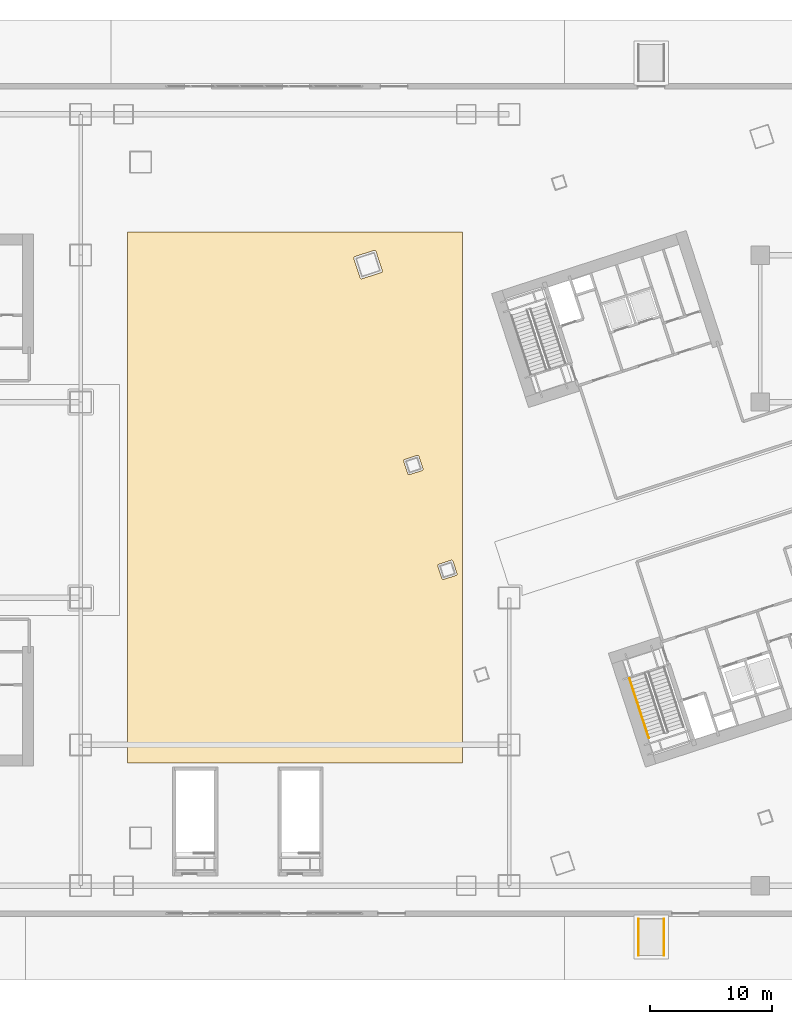
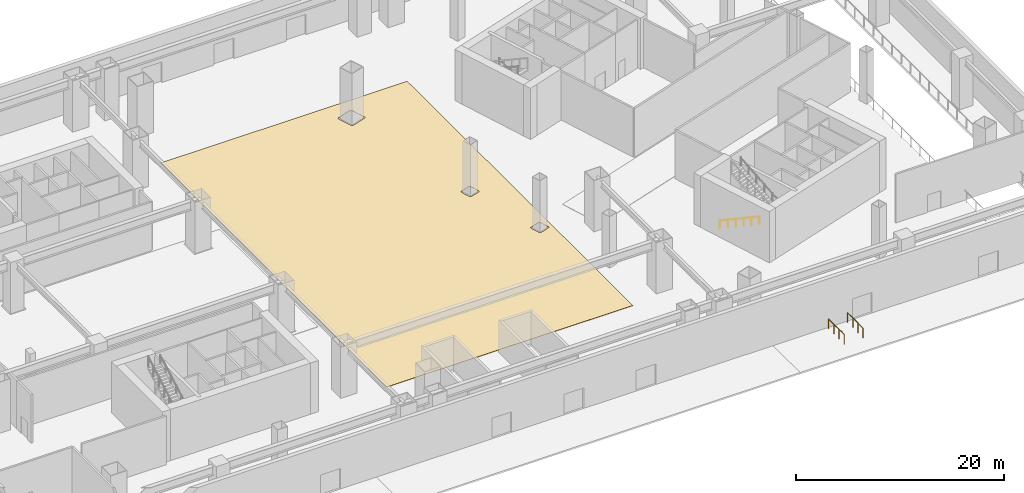
# One storey, part 24 of 31: 3 railings, 1 covering.
"""IFC4 building model written with IfcOpenShell, lengths in metres."""

import ifcopenshell
import ifcopenshell.guid

model = None  # the IFC model being written
_history = None  # IfcOwnerHistory: only IFC2X3 demands one
_inside = {}  # id of a spatial element -> (the spatial element, [elements in it])
_under = {}  # id of a project, library or spatial element -> (it, [spatial elements below it])
_declared = {}  # id of a project -> (the project, [libraries it declares])
_typed = {}  # id of a type object -> (the type object, [elements of that type])
_made_of = {}  # id of a material, layer set ... -> (it, [elements and type objects made of it])


def new_model(schema):
    """Start an empty IFC model of exactly this schema.

    Asked for "IFC4X3", IfcOpenShell would pick the latest addendum, in which some entities
    have other attributes; the version numbers below select the first issue.
    IFC2X3 requires an IfcOwnerHistory on every rooted entity: one is made here for all.
    """
    global model, _history
    if schema == "IFC4X3":
        model = ifcopenshell.file(schema_version=(4, 3, 0, 0))
    else:
        model = ifcopenshell.file(schema=schema)
    _inside.clear()
    _under.clear()
    _declared.clear()
    _typed.clear()
    _made_of.clear()
    _history = None
    if model.schema == "IFC2X3":
        org = make("IfcOrganization", Name="unknown")
        user = make(
            "IfcPersonAndOrganization",
            ThePerson=make("IfcPerson", FamilyName="unknown"),
            TheOrganization=org,
        )
        app = make(
            "IfcApplication",
            ApplicationDeveloper=org,
            Version="unknown",
            ApplicationFullName="unknown",
            ApplicationIdentifier="unknown",
        )
        _history = make(
            "IfcOwnerHistory",
            OwningUser=user,
            OwningApplication=app,
            ChangeAction="ADDED",
            CreationDate=0,
        )
    return model


def make(cls, **values):
    """One entity of the class cls with the attributes given. An attribute that is None is left unset."""
    return model.create_entity(
        cls, **{name: value for name, value in values.items() if value is not None}
    )


def rooted(cls, **values):
    """An entity with a GlobalId (a new one), such as an element, a storey or a relation."""
    return make(cls, GlobalId=ifcopenshell.guid.new(), OwnerHistory=_history, **values)


def si_unit(unit_type, name, prefix=None):
    """IfcSIUnit, for example si_unit("LENGTHUNIT", "METRE", prefix="MILLI")."""
    return make("IfcSIUnit", UnitType=unit_type, Prefix=prefix, Name=name)


def assignment(units):
    """IfcUnitAssignment: the units of a project."""
    return None if units is None else make("IfcUnitAssignment", Units=units)


def point(xyz):
    """IfcCartesianPoint."""
    return None if xyz is None else make("IfcCartesianPoint", Coordinates=xyz)


def direction(xyz):
    """IfcDirection."""
    return None if xyz is None else make("IfcDirection", DirectionRatios=xyz)


def frame(location, z_axis=None, x_axis=None):
    """IfcAxis2Placement3D, a coordinate frame: its origin and axes. An axis left out is left unset."""
    return make(
        "IfcAxis2Placement3D",
        Location=point(location),
        Axis=direction(z_axis),
        RefDirection=direction(x_axis),
    )


def frame_2d(location, x_axis=None):
    """IfcAxis2Placement2D, a coordinate frame in the plane: its origin and x axis."""
    return make(
        "IfcAxis2Placement2D", Location=point(location), RefDirection=direction(x_axis)
    )


def origin():
    """The frame at (0, 0, 0) with its axes left unset."""
    return frame((0.0, 0.0, 0.0))


def origin_2d():
    """The frame at (0, 0) in the plane with its x axis left unset."""
    return frame_2d((0.0, 0.0))


def place(relative_to, where):
    """IfcLocalPlacement: puts the frame where relative to a parent placement (None: the world)."""
    return make(
        "IfcLocalPlacement", PlacementRelTo=relative_to, RelativePlacement=where
    )


def context(
    kind, dimensions, precision=None, world=None, true_north=None, identifier=None
):
    """IfcGeometricRepresentationContext, for example the 3D "Model" context."""
    return make(
        "IfcGeometricRepresentationContext",
        ContextIdentifier=identifier,
        ContextType=kind,
        CoordinateSpaceDimension=dimensions,
        Precision=precision,
        WorldCoordinateSystem=world,
        TrueNorth=true_north,
    )


def subcontext(parent, identifier, kind, view, scale=None):
    """IfcGeometricRepresentationSubContext, for example "Body" below "Model"."""
    return make(
        "IfcGeometricRepresentationSubContext",
        ContextIdentifier=identifier,
        ContextType=kind,
        ParentContext=parent,
        TargetScale=scale,
        TargetView=view,
    )


def project(units=None, contexts=None):
    """IfcProject with its units and contexts."""
    return rooted(
        "IfcProject",
        Name="project",
        RepresentationContexts=contexts,
        UnitsInContext=assignment(units),
    )


def spatial(cls, under=None, at=None, **own):
    """A site, building, storey or space (cls), placed at a placement, below another one or the project."""
    s = rooted(cls, ObjectPlacement=at, **own)
    if under is not None:
        _under.setdefault(under.id(), (under, []))[1].append(s)
    return s


def polyline(points):
    """IfcPolyline through the points."""
    return make("IfcPolyline", Points=[point(p) for p in points])


def profile(cls, at=None, kind="AREA", **sizes):
    """A parametric profile (cls). Its sizes go by their IFC names, for example OverallWidth=200.0."""
    return make(cls, ProfileType=kind, Position=at, **sizes)


def circle(**sizes):
    """IfcCircleProfileDef."""
    return profile("IfcCircleProfileDef", **sizes)


def outline(outer, holes=None, kind="AREA"):
    """IfcArbitraryClosedProfileDef: a profile drawn as a closed curve; with holes, ...WithVoids."""
    if holes is None:
        return make("IfcArbitraryClosedProfileDef", ProfileType=kind, OuterCurve=outer)
    return make(
        "IfcArbitraryProfileDefWithVoids",
        ProfileType=kind,
        OuterCurve=outer,
        InnerCurves=holes,
    )


def extrude(swept, where, along, depth):
    """IfcExtrudedAreaSolid: the profile swept, set in the frame where, extruded along a direction by depth."""
    return make(
        "IfcExtrudedAreaSolid",
        SweptArea=swept,
        Position=where,
        ExtrudedDirection=direction(along),
        Depth=depth,
    )


def shape(context_of_items, identifier, shape_type, items):
    """IfcShapeRepresentation: the items that make up one representation, for example the "Body"."""
    return make(
        "IfcShapeRepresentation",
        ContextOfItems=context_of_items,
        RepresentationIdentifier=identifier,
        RepresentationType=shape_type,
        Items=items,
    )


def material(Name=None, Category=None):
    """IfcMaterial."""
    return make("IfcMaterial", Name=Name, Category=Category)


def layer(
    of_material, thickness, ventilated=None, Name=None, Category=None, Priority=None
):
    """IfcMaterialLayer: one layer of a wall or slab, of a material (None: an air gap)."""
    return make(
        "IfcMaterialLayer",
        Material=of_material,
        LayerThickness=thickness,
        IsVentilated=ventilated,
        Name=Name,
        Category=Category,
        Priority=Priority,
    )


def layer_set(layers, Name=None):
    """IfcMaterialLayerSet."""
    return make("IfcMaterialLayerSet", MaterialLayers=layers, LayerSetName=Name)


def made_of(thing, what):
    """Note that an element or type object is made of a material, layer set ...; save() writes the relation."""
    if what is not None:
        _made_of.setdefault(what.id(), (what, []))[1].append(thing)
    return thing


def type_object(cls, material=None, **own):
    """A type object (cls), such as IfcWallType, which elements share."""
    return made_of(rooted(cls, **own), material)


def element(
    cls,
    number,
    at=None,
    inside=None,
    cuts=None,
    type_object=None,
    material=None,
    context=None,
    identifier="Body",
    shape_type=None,
    held_by="IfcProductDefinitionShape",
    body=None,
    shapes=None,
    **own,
):
    """One element of the class cls, such as IfcWall. Its Tag is "e" and its number.

    at: its placement. inside: the storey or other place that contains it. cuts: it is an
    opening in that element (IfcRelVoidsElement). A single representation is given by context,
    identifier, shape_type and body (its items); several are given by shapes. held_by: the class
    of the entity that holds the representations. save() writes the other relations.
    """
    e = rooted(cls, Tag="e%d" % number, ObjectPlacement=at, **own)
    if body is not None:
        shapes = [shape(context, identifier, shape_type, body)]
    if shapes is not None:
        e.Representation = make(held_by, Representations=shapes)
    if inside is not None:
        _inside.setdefault(inside.id(), (inside, []))[1].append(e)
    if cuts is not None:
        rooted(
            "IfcRelVoidsElement", RelatingBuildingElement=cuts, RelatedOpeningElement=e
        )
    if type_object is not None:
        _typed.setdefault(type_object.id(), (type_object, []))[1].append(e)
    return made_of(e, material)


def aggregate(whole, parts):
    """IfcRelAggregates: a whole, such as a stair, and the parts it consists of."""
    return rooted("IfcRelAggregates", RelatingObject=whole, RelatedObjects=parts)


def save(model, path):
    """Write the relations noted so far, then the file.

    IfcRelAggregates (storeys below a building ...), IfcRelContainedInSpatialStructure (elements
    in a storey), IfcRelDefinesByType, IfcRelAssociatesMaterial and IfcRelDeclares: one each for
    every whole, place, type object, material and project.
    """
    for whole, parts in _under.values():
        aggregate(whole, parts)
    for where, things in _inside.values():
        rooted(
            "IfcRelContainedInSpatialStructure",
            RelatedElements=things,
            RelatingStructure=where,
        )
    for kind, things in _typed.values():
        rooted("IfcRelDefinesByType", RelatedObjects=things, RelatingType=kind)
    for what, things in _made_of.values():
        rooted("IfcRelAssociatesMaterial", RelatedObjects=things, RelatingMaterial=what)
    for by, libraries in _declared.values():
        rooted("IfcRelDeclares", RelatingContext=by, RelatedDefinitions=libraries)
    model.write(path)


model = new_model("IFC4")

# Units and contexts
model_context = context("Model", 3, precision=1e-05, world=origin(), true_north=direction((0.0, 1.0)))
body_context = subcontext(model_context, "Body", "Model", "MODEL_VIEW")
ifc_project = project(units=[si_unit("LENGTHUNIT", "METRE"), si_unit("AREAUNIT", "SQUARE_METRE"), si_unit("VOLUMEUNIT", "CUBIC_METRE"), si_unit("PLANEANGLEUNIT", "RADIAN"), si_unit("MASSUNIT", "GRAM", prefix="KILO")], contexts=[model_context])

# Site, building, storey
site_placement = place(None, origin())
site = spatial("IfcSite", under=ifc_project, at=site_placement, CompositionType="ELEMENT")
building_placement = place(site_placement, origin())
building = spatial("IfcBuilding", under=site, at=building_placement, Name="Qiaolan Cultural Towers", CompositionType="ELEMENT")
storey_placement = place(building_placement, origin())
storey = spatial("IfcBuildingStorey", under=building, at=storey_placement, Name="L00", CompositionType="ELEMENT", Elevation=0.0)

# Covering
ifc_material_1 = material(Name="Honed Terrazzo & Raised Access Flooring", Category="concrete")
ifc_layer = layer(ifc_material_1, 0.0400390625)
ifc_layer_set = layer_set([ifc_layer], Name="Honed Terrazzo & Raised Access Flooring")
covering_type = type_object("IfcCoveringType", Name="COV-FLR-STONE", PredefinedType="FLOORING", material=ifc_layer_set)
covering_placement = place(storey_placement, origin())
element("IfcCovering", 1, at=covering_placement, inside=storey, type_object=covering_type, Name="L00 Ground Station Interchange Concourse Hall Finish Flooring", PredefinedType="FLOORING", context=body_context, shape_type="SweptSolid", body=[
    extrude(outline(polyline([(73.679931640625, 55.8798828125), (46.320068359375, 55.8798828125), (46.320068359375, 12.52001953125), (73.679931640625, 12.52001953125), (73.679931640625, 55.8798828125)]), holes=[polyline([(72.767578125, 29.083740234375), (72.779296875, 29.085693359375), (72.791015625, 29.08642578125), (72.802734375, 29.086181640625), (72.814453125, 29.084716796875), (72.825927734375, 29.08203125), (72.8369140625, 29.078125), (72.84765625, 29.073486328125), (72.85791015625, 29.067626953125), (72.86767578125, 29.060791015625), (72.87646484375, 29.052978515625), (72.884521484375, 29.04443359375), (72.891845703125, 29.03515625), (72.89794921875, 29.025146484375), (72.9033203125, 29.0146484375), (72.907470703125, 29.003662109375), (73.23486328125, 27.995361328125), (73.238037109375, 27.984130859375), (73.239990234375, 27.972412109375), (73.24072265625, 27.960693359375), (73.240478515625, 27.948974609375), (73.239013671875, 27.937255859375), (73.236328125, 27.92578125), (73.232666015625, 27.91455078125), (73.227783203125, 27.90380859375), (73.221923828125, 27.8935546875), (73.215087890625, 27.884033203125), (73.207275390625, 27.875244140625), (73.19873046875, 27.8671875), (73.189453125, 27.85986328125), (73.179443359375, 27.853759765625), (73.1689453125, 27.848388671875), (73.157958984375, 27.84423828125), (72.14990234375, 27.5166015625), (72.138427734375, 27.513671875), (72.126708984375, 27.51171875), (72.114990234375, 27.5107421875), (72.103271484375, 27.51123046875), (72.091552734375, 27.5126953125), (72.080078125, 27.515380859375), (72.069091796875, 27.51904296875), (72.058349609375, 27.52392578125), (72.048095703125, 27.52978515625), (72.038330078125, 27.53662109375), (72.029541015625, 27.544189453125), (72.021484375, 27.552978515625), (72.01416015625, 27.562255859375), (72.008056640625, 27.572265625), (72.002685546875, 27.582763671875), (71.99853515625, 27.59375), (71.671142578125, 28.601806640625), (71.66796875, 28.61328125), (71.666015625, 28.624755859375), (71.665283203125, 28.636474609375), (71.66552734375, 28.6484375), (71.6669921875, 28.659912109375), (71.669677734375, 28.67138671875), (71.67333984375, 28.6826171875), (71.67822265625, 28.693359375), (71.68408203125, 28.70361328125), (71.69091796875, 28.713134765625), (71.69873046875, 28.72216796875), (71.707275390625, 28.730224609375), (71.716552734375, 28.7373046875), (71.7265625, 28.74365234375), (71.737060546875, 28.748779296875), (71.748046875, 28.7529296875), (72.756103515625, 29.08056640625), (72.767578125, 29.083740234375)]), polyline([(70.456787109375, 36.543701171875), (70.458740234375, 36.531982421875), (70.459716796875, 36.520263671875), (70.459228515625, 36.508544921875), (70.457763671875, 36.496826171875), (70.455078125, 36.4853515625), (70.451416015625, 36.47412109375), (70.446533203125, 36.46337890625), (70.440673828125, 36.453125), (70.433837890625, 36.443603515625), (70.42626953125, 36.434814453125), (70.417724609375, 36.426513671875), (70.408203125, 36.41943359375), (70.3984375, 36.4130859375), (70.3876953125, 36.407958984375), (70.376708984375, 36.40380859375), (69.36865234375, 36.076171875), (69.357177734375, 36.072998046875), (69.345703125, 36.071044921875), (69.333984375, 36.0703125), (69.322265625, 36.070556640625), (69.310546875, 36.072265625), (69.299072265625, 36.07470703125), (69.287841796875, 36.07861328125), (69.277099609375, 36.08349609375), (69.266845703125, 36.08935546875), (69.25732421875, 36.095947265625), (69.248291015625, 36.103759765625), (69.240234375, 36.1123046875), (69.233154296875, 36.12158203125), (69.226806640625, 36.131591796875), (69.2216796875, 36.142333984375), (69.217529296875, 36.1533203125), (68.889892578125, 37.161376953125), (68.88671875, 37.172607421875), (68.884765625, 37.184326171875), (68.884033203125, 37.196044921875), (68.88427734375, 37.207763671875), (68.885986328125, 37.219482421875), (68.888427734375, 37.23095703125), (68.892333984375, 37.2421875), (68.89697265625, 37.2529296875), (68.90283203125, 37.26318359375), (68.90966796875, 37.272705078125), (68.91748046875, 37.281494140625), (68.926025390625, 37.289794921875), (68.935302734375, 37.296875), (68.9453125, 37.30322265625), (68.955810546875, 37.308349609375), (68.967041015625, 37.3125), (69.97509765625, 37.64013671875), (69.986328125, 37.643310546875), (69.998046875, 37.645263671875), (70.009765625, 37.64599609375), (70.021484375, 37.6455078125), (70.033203125, 37.64404296875), (70.044677734375, 37.641357421875), (70.055908203125, 37.6376953125), (70.066650390625, 37.6328125), (70.076904296875, 37.626953125), (70.08642578125, 37.6201171875), (70.09521484375, 37.612548828125), (70.103271484375, 37.60400390625), (70.110595703125, 37.594482421875), (70.116943359375, 37.584716796875), (70.1220703125, 37.573974609375), (70.126220703125, 37.56298828125), (70.453857421875, 36.554931640625), (70.456787109375, 36.543701171875)]), polyline([(64.809814453125, 53.7333984375), (64.807861328125, 53.744873046875), (64.806884765625, 53.7568359375), (64.807373046875, 53.7685546875), (64.808837890625, 53.7802734375), (64.8115234375, 53.791748046875), (64.815185546875, 53.802734375), (64.820068359375, 53.8134765625), (64.825927734375, 53.82373046875), (64.832763671875, 53.833251953125), (64.84033203125, 53.84228515625), (64.84912109375, 53.850341796875), (64.8583984375, 53.857421875), (64.868408203125, 53.86376953125), (64.87890625, 53.869140625), (64.889892578125, 53.873291015625), (66.468505859375, 54.38623046875), (66.47998046875, 54.38916015625), (66.49169921875, 54.39111328125), (66.50341796875, 54.39208984375), (66.51513671875, 54.3916015625), (66.52685546875, 54.39013671875), (66.538330078125, 54.387451171875), (66.54931640625, 54.3837890625), (66.56005859375, 54.37890625), (66.5703125, 54.373046875), (66.580078125, 54.3662109375), (66.5888671875, 54.358642578125), (66.596923828125, 54.35009765625), (66.604248046875, 54.340576171875), (66.6103515625, 54.33056640625), (66.61572265625, 54.320068359375), (66.619873046875, 54.30908203125), (67.1328125, 52.73046875), (67.135986328125, 52.718994140625), (67.137939453125, 52.707275390625), (67.138671875, 52.695556640625), (67.13818359375, 52.683837890625), (67.13671875, 52.672119140625), (67.13427734375, 52.66064453125), (67.13037109375, 52.649658203125), (67.12548828125, 52.638916015625), (67.11962890625, 52.628662109375), (67.11279296875, 52.618896484375), (67.105224609375, 52.610107421875), (67.0966796875, 52.60205078125), (67.08740234375, 52.5947265625), (67.077392578125, 52.588623046875), (67.066650390625, 52.583251953125), (67.0556640625, 52.5791015625), (65.47705078125, 52.066162109375), (65.465576171875, 52.063232421875), (65.4541015625, 52.06103515625), (65.4423828125, 52.060302734375), (65.430419921875, 52.060791015625), (65.418701171875, 52.062255859375), (65.4072265625, 52.06494140625), (65.396240234375, 52.068603515625), (65.385498046875, 52.073486328125), (65.375244140625, 52.079345703125), (65.36572265625, 52.086181640625), (65.356689453125, 52.09375), (65.3486328125, 52.102294921875), (65.341552734375, 52.11181640625), (65.335205078125, 52.12158203125), (65.330078125, 52.13232421875), (65.32568359375, 52.143310546875), (64.812744140625, 53.721923828125), (64.809814453125, 53.7333984375)])]), origin(), (0.0, 0.0, 1.0), 0.0400390625),
])

# Railings
ifc_material_2 = material(Name="Laminated SentryGlas & Stainless Steel S31608 Balustrade", Category="steel")
railing_type_1 = type_object("IfcRailingType", Name="GRD-TERR-1200", PredefinedType="BALUSTRADE", material=ifc_material_2)
for number, where, name in (
    (2, (88.050048828125, -3.199951171875, 0.0), "South East Accessible Entrance Ramp West Balustrade"),
    (3, (90.14990234375, -3.199951171875, 0.0), "South East Accessible Entrance Ramp East Balustrade"),
):
    element("IfcRailing", number, at=place(storey_placement, frame(where)), inside=storey, type_object=railing_type_1, Name=name, PredefinedType="BALUSTRADE", context=body_context, shape_type="SweptSolid", body=[
        extrude(circle(Radius=0.02392578125, at=origin_2d()), frame((0.0, 0.0, 1.1259765625), z_axis=(0.0, 1.0, 0.0), x_axis=(-1.0, 0.0, 0.0)), (0.0, 0.0, 1.0), 3.0),
        extrude(circle(Radius=0.02099609375, at=origin_2d()), origin(), (0.0, 0.0, 1.0), 1.101806640625),
        extrude(circle(Radius=0.02099609375, at=origin_2d()), frame((0.0, 1.0, 0.0)), (0.0, 0.0, 1.0), 1.101806640625),
        extrude(circle(Radius=0.02099609375, at=origin_2d()), frame((0.0, 2.0, 0.0)), (0.0, 0.0, 1.0), 1.101806640625),
        extrude(circle(Radius=0.02099609375, at=origin_2d()), frame((0.0, 3.0, 0.0)), (0.0, 0.0, 1.0), 1.101806640625),
    ])
ifc_material_3 = material(Name="Stainless Steel S30408 Tubular Handrail", Category="steel")
railing_type_2 = type_object("IfcRailingType", Name="RL-STAIR-HR", PredefinedType="HANDRAIL", material=ifc_material_3)
railing_placement = place(storey_placement, frame((87.32763671875, 19.41015625, 0.166748046875)))
element("IfcRailing", 4, at=railing_placement, inside=storey, type_object=railing_type_2, Name="L00 ST-E1 stair handrail 1", PredefinedType="HANDRAIL", context=body_context, shape_type="SweptSolid", body=[
    extrude(circle(Radius=0.02392578125, at=origin_2d()), frame((0.0, 0.0, 0.8759765625), z_axis=(0.270162499604, -0.831369017911, 0.485631320927), x_axis=(0.951044973649, 0.30905251673, 0.0)), (0.0, 0.0, 1.0), 5.834228515625),
    extrude(circle(Radius=0.02099609375, at=origin_2d()), origin(), (0.0, 0.0, 1.0), 0.851806640625),
    extrude(circle(Radius=0.02099609375, at=origin_2d()), frame((0.315185546875, -0.969970703125, 0.566650390625)), (0.0, 0.0, 1.0), 0.851806640625),
    extrude(circle(Radius=0.02099609375, at=origin_2d()), frame((0.63037109375, -1.940185546875, 1.13330078125)), (0.0, 0.0, 1.0), 0.851806640625),
    extrude(circle(Radius=0.02099609375, at=origin_2d()), frame((0.94580078125, -2.91015625, 1.699951171875)), (0.0, 0.0, 1.0), 0.851806640625),
    extrude(circle(Radius=0.02099609375, at=origin_2d()), frame((1.260986328125, -3.88037109375, 2.2666015625)), (0.0, 0.0, 1.0), 0.851806640625),
    extrude(circle(Radius=0.02099609375, at=origin_2d()), frame((1.576171875, -4.850341796875, 2.833251953125)), (0.0, 0.0, 1.0), 0.851806640625),
])

save(model, "model.ifc")
